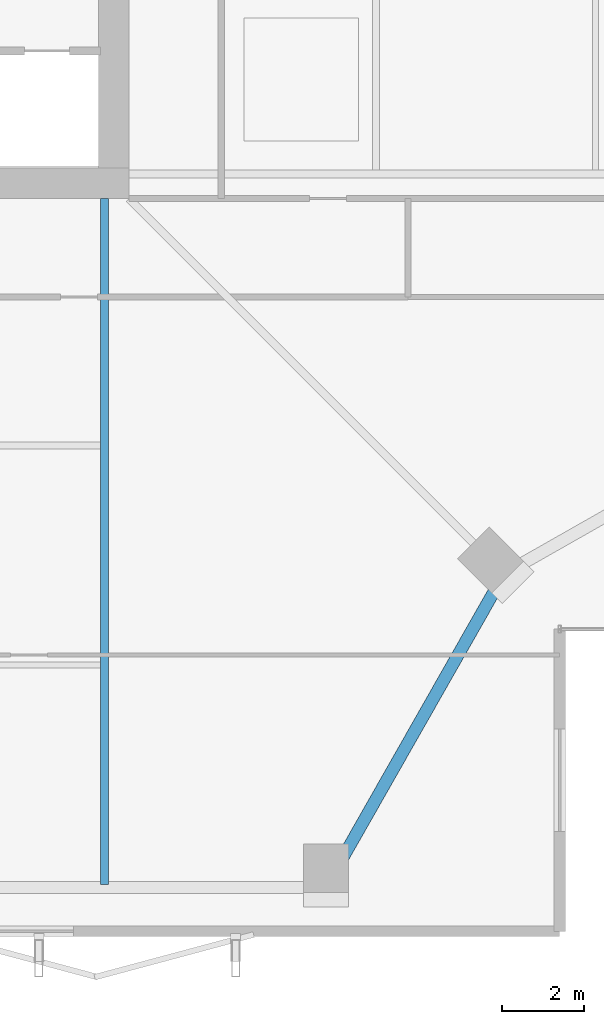
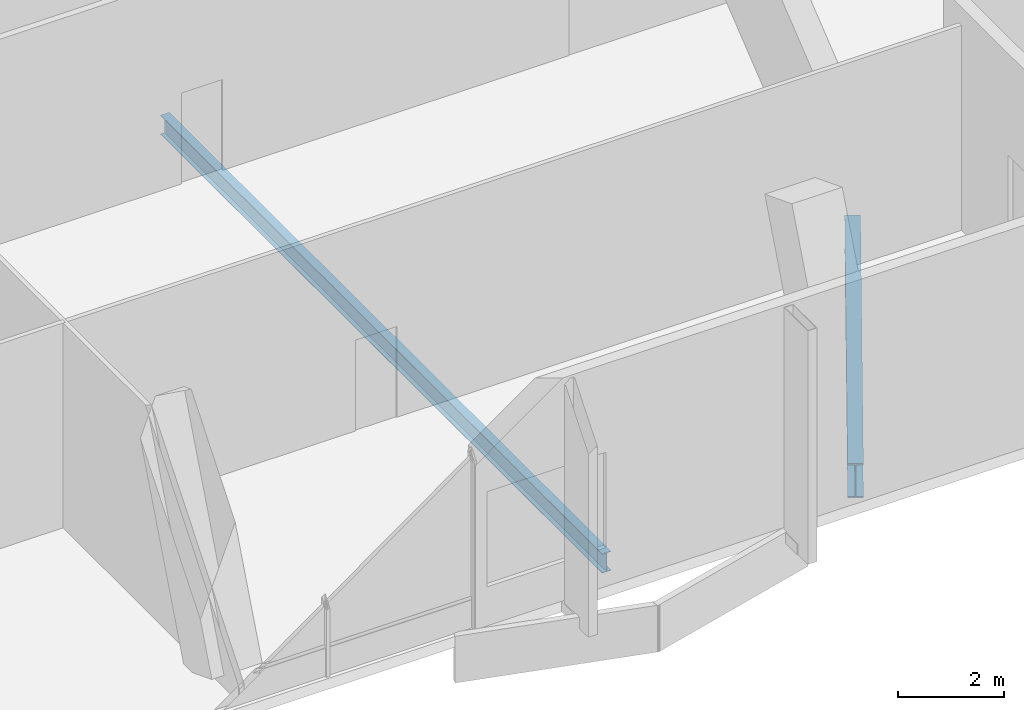
# One storey, part 12 of 33: 2 beams.
"""IFC4 building model written with IfcOpenShell, lengths in metres."""

from ifc_helpers import new_model, si_unit, direction, frame, origin, origin_2d, place, context, subcontext, project, spatial, i_section, extrude, material, material_profile, profile_set, type_object, element, save


model = new_model("IFC4")

# Units and contexts
model_context = context("Model", 3, precision=1e-05, world=origin(), true_north=direction((0.0, 1.0)))
body_context = subcontext(model_context, "Body", "Model", "MODEL_VIEW")
ifc_project = project(units=[si_unit("LENGTHUNIT", "METRE"), si_unit("AREAUNIT", "SQUARE_METRE"), si_unit("VOLUMEUNIT", "CUBIC_METRE"), si_unit("PLANEANGLEUNIT", "RADIAN"), si_unit("MASSUNIT", "GRAM", prefix="KILO")], contexts=[model_context])

# Site, building, storey
site_placement = place(None, origin())
site = spatial("IfcSite", under=ifc_project, at=site_placement, CompositionType="ELEMENT")
building_placement = place(site_placement, origin())
building = spatial("IfcBuilding", under=site, at=building_placement, Name="Belovzor Exchange Tower", CompositionType="ELEMENT")
storey_placement = place(building_placement, frame((0.0, 0.0, 241.199951171875)))
storey = spatial("IfcBuildingStorey", under=building, at=storey_placement, Name="L60", CompositionType="ELEMENT", Elevation=241.199951171875)

# Beams
ifc_material_1 = material(Name="Steel S355", Category="steel")
ifc_material_profile_1 = material_profile(ifc_material_1, i_section(OverallWidth=0.300048828125, OverallDepth=0.800048828125, WebThickness=0.017578125, FlangeThickness=0.032958984375, at=origin_2d()))
ifc_profile_set_1 = profile_set([ifc_material_profile_1], Name="Steel S355")
beam_type_1 = type_object("IfcBeamType", Name="Sky-Lobby Primary Girder HEB 800", PredefinedType="BEAM", material=ifc_profile_set_1)
beam_1_placement = place(storey_placement, frame((42.75, 3.262939453125, -0.64990234375), z_axis=(0.494222323641, 0.869335547884, 0.0), x_axis=(-0.869335547884, 0.494222323641, 0.0)))
element("IfcBeam", 1, at=beam_1_placement, inside=storey, type_object=beam_type_1, Name="SG-1 Sky-Lobby Primary Girder HEB 800", PredefinedType="BEAM", context=body_context, shape_type="SweptSolid", body=[
    extrude(i_section(OverallWidth=0.300048828125, OverallDepth=0.800048828125, WebThickness=0.017578125, FlangeThickness=0.032958984375, at=origin_2d()), origin(), (0.0, 0.0, 1.0), 8.19482421875),
])
ifc_material_2 = material(Name="Steel S355", Category="steel")
ifc_material_profile_2 = material_profile(ifc_material_2, i_section(OverallWidth=0.18994140625, OverallDepth=0.449951171875, WebThickness=0.009521484375, FlangeThickness=0.0146484375, at=origin_2d()))
ifc_profile_set_2 = profile_set([ifc_material_profile_2], Name="Steel S355")
beam_type_2 = type_object("IfcBeamType", Name="Zone 2-4 Radial Composite Floor Beam IPE 450", PredefinedType="BEAM", material=ifc_profile_set_2)
beam_2_placement = place(storey_placement, frame((37.199951171875, 19.800048828125, -0.474853515625), z_axis=(0.0, -1.0, 0.0), x_axis=(1.0, 0.0, 0.0)))
element("IfcBeam", 2, at=beam_2_placement, inside=storey, type_object=beam_type_2, Name="FB-450 Zone 2-4 Radial Composite Floor Beam IPE 450", PredefinedType="BEAM", context=body_context, shape_type="SweptSolid", body=[
    extrude(i_section(OverallWidth=0.18994140625, OverallDepth=0.449951171875, WebThickness=0.009521484375, FlangeThickness=0.0146484375, at=origin_2d()), origin(), (0.0, 0.0, 1.0), 16.72509765625),
])

save(model, "model.ifc")
